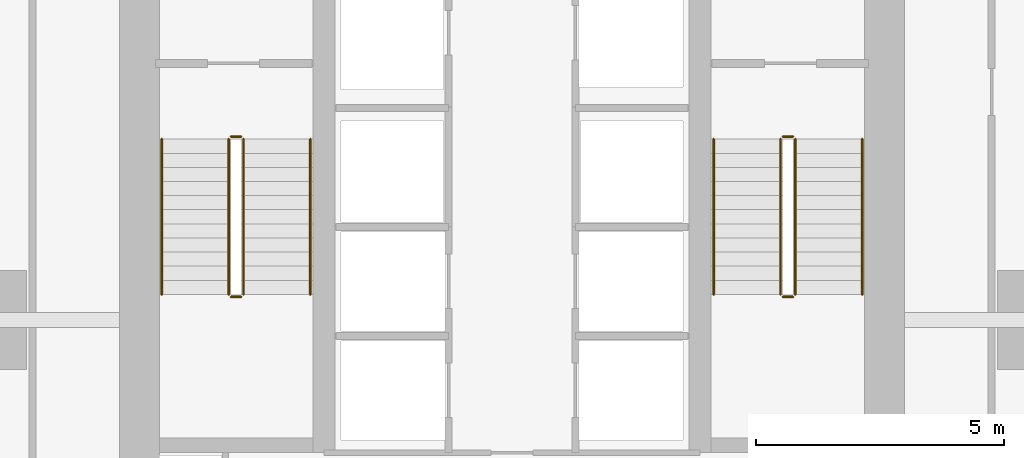
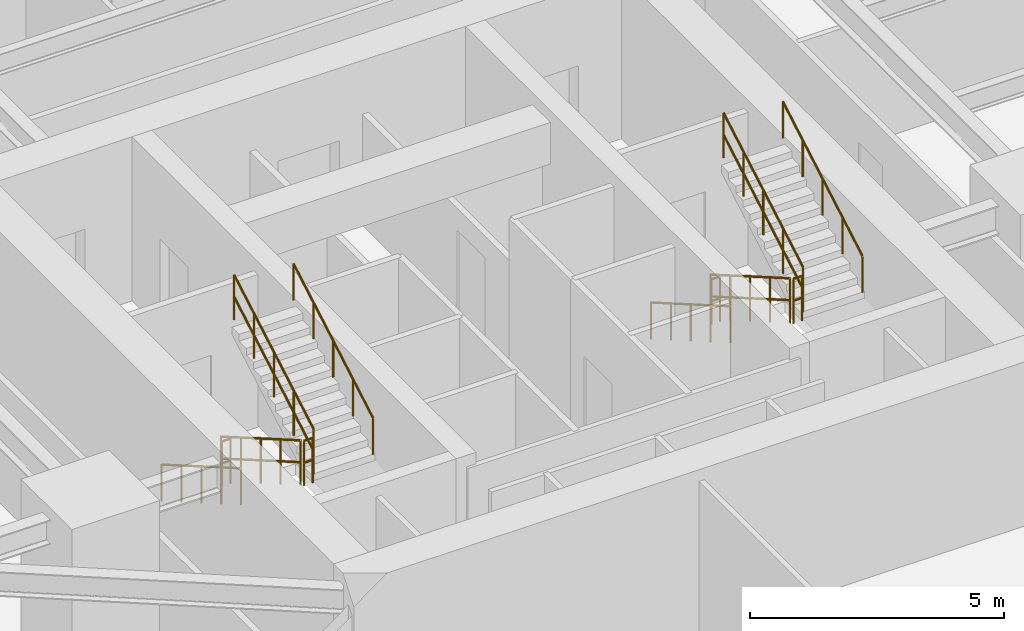
# One storey, part 26 of 27: 12 railings.
"""IFC4 building model written with IfcOpenShell, lengths in metres."""

from ifc_helpers import new_model, si_unit, direction, frame, origin, origin_2d, place, context, subcontext, project, spatial, circle, extrude, material, layer, layer_set, type_object, element, save


model = new_model("IFC4")

# Units and contexts
model_context = context("Model", 3, precision=1e-05, world=origin(), true_north=direction((0.0, 1.0)))
body_context = subcontext(model_context, "Body", "Model", "MODEL_VIEW")
ifc_project = project(units=[si_unit("LENGTHUNIT", "METRE"), si_unit("AREAUNIT", "SQUARE_METRE"), si_unit("VOLUMEUNIT", "CUBIC_METRE"), si_unit("PLANEANGLEUNIT", "RADIAN"), si_unit("MASSUNIT", "GRAM", prefix="KILO")], contexts=[model_context])

# Site, building, storey
site_placement = place(None, origin())
site = spatial("IfcSite", under=ifc_project, at=site_placement, CompositionType="ELEMENT")
building_placement = place(site_placement, origin())
building = spatial("IfcBuilding", under=site, at=building_placement, Name="Krantzveldt Concourse Tower", CompositionType="ELEMENT")
storey_placement = place(building_placement, frame((0.0, 0.0, 125.60009765625)))
storey = spatial("IfcBuildingStorey", under=building, at=storey_placement, Name="L30", CompositionType="ELEMENT", Elevation=125.60009765625)

# Railings
ifc_material = material(Name="Stainless steel 316L", Category="steel")
ifc_layer_1 = layer(ifc_material, 0.06005859375, Name="Stainless steel 316L", Category="steel")
ifc_layer_set_1 = layer_set([ifc_layer_1], Name="Stainless steel 316L (RL-GUARD-1120)")
railing_type_1 = type_object("IfcRailingType", Name="RL-GUARD-1120", PredefinedType="GUARDRAIL", material=ifc_layer_set_1)
railing_1_placement = place(storey_placement, frame((30.280029296875, 19.550048828125, 0.16455078125)))
element("IfcRailing", 1, at=railing_1_placement, inside=storey, type_object=railing_type_1, Name="L30 ST-1 stair guard 1", PredefinedType="GUARDRAIL", context=body_context, shape_type="SweptSolid", body=[
    extrude(circle(Radius=0.02392578125, at=origin_2d()), frame((0.0, 0.0, 1.076171875), z_axis=(0.0, -0.865989039225, 0.500062979975), x_axis=(1.0, 0.0, 0.0)), (0.0, 0.0, 1.0), 3.6201171875),
    extrude(circle(Radius=0.02392578125, at=origin_2d()), frame((0.0, 0.0, 0.550048828125), z_axis=(0.0, -0.865989039225, 0.500062979975), x_axis=(1.0, 0.0, 0.0)), (0.0, 0.0, 1.0), 3.6201171875),
    extrude(circle(Radius=0.02099609375, at=origin_2d()), origin(), (0.0, 0.0, 1.0), 1.052001953125),
    extrude(circle(Radius=0.02099609375, at=origin_2d()), frame((0.0, -0.78369140625, 0.45263671875)), (0.0, 0.0, 1.0), 1.052001953125),
    extrude(circle(Radius=0.02099609375, at=origin_2d()), frame((0.0, -1.5673828125, 0.9052734375)), (0.0, 0.0, 1.0), 1.052001953125),
    extrude(circle(Radius=0.02099609375, at=origin_2d()), frame((0.0, -2.351318359375, 1.357666015625)), (0.0, 0.0, 1.0), 1.052001953125),
    extrude(circle(Radius=0.02099609375, at=origin_2d()), frame((0.0, -3.135009765625, 1.810302734375)), (0.0, 0.0, 1.0), 1.052001953125),
])
railing_2_placement = place(storey_placement, frame((30.330078125, 16.364990234375, 1.974853515625)))
element("IfcRailing", 2, at=railing_2_placement, inside=storey, type_object=railing_type_1, Name="L30 ST-1 stair guard 2", PredefinedType="GUARDRAIL", context=body_context, shape_type="SweptSolid", body=[
    extrude(circle(Radius=0.02392578125, at=origin_2d()), frame((0.0, 0.0, 1.076171875), z_axis=(1.0, 0.0, 0.0), x_axis=(0.0, 1.0, 0.0)), (0.0, 0.0, 1.0), 0.199951171875),
    extrude(circle(Radius=0.02392578125, at=origin_2d()), frame((0.0, 0.0, 0.550048828125), z_axis=(1.0, 0.0, 0.0), x_axis=(0.0, 1.0, 0.0)), (0.0, 0.0, 1.0), 0.199951171875),
    extrude(circle(Radius=0.02099609375, at=origin_2d()), origin(), (0.0, 0.0, 1.0), 1.052001953125),
    extrude(circle(Radius=0.02099609375, at=origin_2d()), frame((0.199951171875, 0.0, 0.0)), (0.0, 0.0, 1.0), 1.052001953125),
])
railing_3_placement = place(storey_placement, frame((30.580078125, 16.4150390625, 2.139404296875)))
element("IfcRailing", 3, at=railing_3_placement, inside=storey, type_object=railing_type_1, Name="L30 ST-1 stair guard 3", PredefinedType="GUARDRAIL", context=body_context, shape_type="SweptSolid", body=[
    extrude(circle(Radius=0.02392578125, at=origin_2d()), frame((0.0, 0.0, 1.076171875), z_axis=(0.0, 0.865959834175, 0.500113552702), x_axis=(-1.0, 0.0, 0.0)), (0.0, 0.0, 1.0), 3.620361328125),
    extrude(circle(Radius=0.02392578125, at=origin_2d()), frame((0.0, 0.0, 0.550048828125), z_axis=(0.0, 0.865959834175, 0.500113552702), x_axis=(-1.0, 0.0, 0.0)), (0.0, 0.0, 1.0), 3.620361328125),
    extrude(circle(Radius=0.02099609375, at=origin_2d()), origin(), (0.0, 0.0, 1.0), 1.052001953125),
    extrude(circle(Radius=0.02099609375, at=origin_2d()), frame((0.0, 0.78369140625, 0.45263671875)), (0.0, 0.0, 1.0), 1.052001953125),
    extrude(circle(Radius=0.02099609375, at=origin_2d()), frame((0.0, 1.5673828125, 0.9052734375)), (0.0, 0.0, 1.0), 1.052001953125),
    extrude(circle(Radius=0.02099609375, at=origin_2d()), frame((0.0, 2.351318359375, 1.35791015625)), (0.0, 0.0, 1.0), 1.052001953125),
    extrude(circle(Radius=0.02099609375, at=origin_2d()), frame((0.0, 3.135009765625, 1.810546875)), (0.0, 0.0, 1.0), 1.052001953125),
])
railing_4_placement = place(storey_placement, frame((30.330078125, 19.60009765625, 0.0)))
element("IfcRailing", 4, at=railing_4_placement, inside=storey, type_object=railing_type_1, Name="L30 ST-1 stair guard 4", PredefinedType="GUARDRAIL", context=body_context, shape_type="SweptSolid", body=[
    extrude(circle(Radius=0.02392578125, at=origin_2d()), frame((0.0, 0.0, 1.076171875), z_axis=(1.0, 0.0, 0.0), x_axis=(0.0, 1.0, 0.0)), (0.0, 0.0, 1.0), 0.199951171875),
    extrude(circle(Radius=0.02392578125, at=origin_2d()), frame((0.0, 0.0, 0.550048828125), z_axis=(1.0, 0.0, 0.0), x_axis=(0.0, 1.0, 0.0)), (0.0, 0.0, 1.0), 0.199951171875),
    extrude(circle(Radius=0.02099609375, at=origin_2d()), origin(), (0.0, 0.0, 1.0), 1.052001953125),
    extrude(circle(Radius=0.02099609375, at=origin_2d()), frame((0.199951171875, 0.0, 0.0)), (0.0, 0.0, 1.0), 1.052001953125),
])
railing_5_placement = place(storey_placement, frame((41.419921875, 19.550048828125, 0.16455078125)))
element("IfcRailing", 5, at=railing_5_placement, inside=storey, type_object=railing_type_1, Name="L30 ST-2 stair guard 1", PredefinedType="GUARDRAIL", context=body_context, shape_type="SweptSolid", body=[
    extrude(circle(Radius=0.02392578125, at=origin_2d()), frame((0.0, 0.0, 1.076171875), z_axis=(0.0, -0.865989039225, 0.500062979975), x_axis=(1.0, 0.0, 0.0)), (0.0, 0.0, 1.0), 3.6201171875),
    extrude(circle(Radius=0.02392578125, at=origin_2d()), frame((0.0, 0.0, 0.550048828125), z_axis=(0.0, -0.865989039225, 0.500062979975), x_axis=(1.0, 0.0, 0.0)), (0.0, 0.0, 1.0), 3.6201171875),
    extrude(circle(Radius=0.02099609375, at=origin_2d()), origin(), (0.0, 0.0, 1.0), 1.052001953125),
    extrude(circle(Radius=0.02099609375, at=origin_2d()), frame((0.0, -0.78369140625, 0.45263671875)), (0.0, 0.0, 1.0), 1.052001953125),
    extrude(circle(Radius=0.02099609375, at=origin_2d()), frame((0.0, -1.5673828125, 0.9052734375)), (0.0, 0.0, 1.0), 1.052001953125),
    extrude(circle(Radius=0.02099609375, at=origin_2d()), frame((0.0, -2.351318359375, 1.357666015625)), (0.0, 0.0, 1.0), 1.052001953125),
    extrude(circle(Radius=0.02099609375, at=origin_2d()), frame((0.0, -3.135009765625, 1.810302734375)), (0.0, 0.0, 1.0), 1.052001953125),
])
railing_6_placement = place(storey_placement, frame((41.469970703125, 16.364990234375, 1.974853515625)))
element("IfcRailing", 6, at=railing_6_placement, inside=storey, type_object=railing_type_1, Name="L30 ST-2 stair guard 2", PredefinedType="GUARDRAIL", context=body_context, shape_type="SweptSolid", body=[
    extrude(circle(Radius=0.02392578125, at=origin_2d()), frame((0.0, 0.0, 1.076171875), z_axis=(1.0, 0.0, 0.0), x_axis=(0.0, 1.0, 0.0)), (0.0, 0.0, 1.0), 0.199951171875),
    extrude(circle(Radius=0.02392578125, at=origin_2d()), frame((0.0, 0.0, 0.550048828125), z_axis=(1.0, 0.0, 0.0), x_axis=(0.0, 1.0, 0.0)), (0.0, 0.0, 1.0), 0.199951171875),
    extrude(circle(Radius=0.02099609375, at=origin_2d()), origin(), (0.0, 0.0, 1.0), 1.052001953125),
    extrude(circle(Radius=0.02099609375, at=origin_2d()), frame((0.199951171875, 0.0, 0.0)), (0.0, 0.0, 1.0), 1.052001953125),
])
railing_7_placement = place(storey_placement, frame((41.719970703125, 16.4150390625, 2.139404296875)))
element("IfcRailing", 7, at=railing_7_placement, inside=storey, type_object=railing_type_1, Name="L30 ST-2 stair guard 3", PredefinedType="GUARDRAIL", context=body_context, shape_type="SweptSolid", body=[
    extrude(circle(Radius=0.02392578125, at=origin_2d()), frame((0.0, 0.0, 1.076171875), z_axis=(0.0, 0.865959834175, 0.500113552702), x_axis=(-1.0, 0.0, 0.0)), (0.0, 0.0, 1.0), 3.620361328125),
    extrude(circle(Radius=0.02392578125, at=origin_2d()), frame((0.0, 0.0, 0.550048828125), z_axis=(0.0, 0.865959834175, 0.500113552702), x_axis=(-1.0, 0.0, 0.0)), (0.0, 0.0, 1.0), 3.620361328125),
    extrude(circle(Radius=0.02099609375, at=origin_2d()), origin(), (0.0, 0.0, 1.0), 1.052001953125),
    extrude(circle(Radius=0.02099609375, at=origin_2d()), frame((0.0, 0.78369140625, 0.45263671875)), (0.0, 0.0, 1.0), 1.052001953125),
    extrude(circle(Radius=0.02099609375, at=origin_2d()), frame((0.0, 1.5673828125, 0.9052734375)), (0.0, 0.0, 1.0), 1.052001953125),
    extrude(circle(Radius=0.02099609375, at=origin_2d()), frame((0.0, 2.351318359375, 1.35791015625)), (0.0, 0.0, 1.0), 1.052001953125),
    extrude(circle(Radius=0.02099609375, at=origin_2d()), frame((0.0, 3.135009765625, 1.810546875)), (0.0, 0.0, 1.0), 1.052001953125),
])
railing_8_placement = place(storey_placement, frame((41.469970703125, 19.60009765625, 0.0)))
element("IfcRailing", 8, at=railing_8_placement, inside=storey, type_object=railing_type_1, Name="L30 ST-2 stair guard 4", PredefinedType="GUARDRAIL", context=body_context, shape_type="SweptSolid", body=[
    extrude(circle(Radius=0.02392578125, at=origin_2d()), frame((0.0, 0.0, 1.076171875), z_axis=(1.0, 0.0, 0.0), x_axis=(0.0, 1.0, 0.0)), (0.0, 0.0, 1.0), 0.199951171875),
    extrude(circle(Radius=0.02392578125, at=origin_2d()), frame((0.0, 0.0, 0.550048828125), z_axis=(1.0, 0.0, 0.0), x_axis=(0.0, 1.0, 0.0)), (0.0, 0.0, 1.0), 0.199951171875),
    extrude(circle(Radius=0.02099609375, at=origin_2d()), origin(), (0.0, 0.0, 1.0), 1.052001953125),
    extrude(circle(Radius=0.02099609375, at=origin_2d()), frame((0.199951171875, 0.0, 0.0)), (0.0, 0.0, 1.0), 1.052001953125),
])
ifc_layer_2 = layer(ifc_material, 0.050048828125, Name="Stainless steel 316L", Category="steel")
ifc_layer_set_2 = layer_set([ifc_layer_2], Name="Stainless steel 316L (RL-HANDRAIL-920)")
railing_type_2 = type_object("IfcRailingType", Name="RL-HANDRAIL-920", PredefinedType="HANDRAIL", material=ifc_layer_set_2)
railing_9_placement = place(storey_placement, frame((28.929931640625, 19.550048828125, 0.16455078125)))
element("IfcRailing", 9, at=railing_9_placement, inside=storey, type_object=railing_type_2, Name="L30 ST-1 stair handrail 1", PredefinedType="HANDRAIL", context=body_context, shape_type="SweptSolid", body=[
    extrude(circle(Radius=0.02392578125, at=origin_2d()), frame((0.0, 0.0, 0.8759765625), z_axis=(0.0, -0.865989039225, 0.500062979975), x_axis=(1.0, 0.0, 0.0)), (0.0, 0.0, 1.0), 3.6201171875),
    extrude(circle(Radius=0.02099609375, at=origin_2d()), origin(), (0.0, 0.0, 1.0), 0.851806640625),
    extrude(circle(Radius=0.02099609375, at=origin_2d()), frame((0.0, -0.78369140625, 0.45263671875)), (0.0, 0.0, 1.0), 0.851806640625),
    extrude(circle(Radius=0.02099609375, at=origin_2d()), frame((0.0, -1.5673828125, 0.9052734375)), (0.0, 0.0, 1.0), 0.851806640625),
    extrude(circle(Radius=0.02099609375, at=origin_2d()), frame((0.0, -2.351318359375, 1.357666015625)), (0.0, 0.0, 1.0), 0.851806640625),
    extrude(circle(Radius=0.02099609375, at=origin_2d()), frame((0.0, -3.135009765625, 1.810302734375)), (0.0, 0.0, 1.0), 0.851806640625),
])
railing_10_placement = place(storey_placement, frame((31.929931640625, 16.4150390625, 2.139404296875)))
element("IfcRailing", 10, at=railing_10_placement, inside=storey, type_object=railing_type_2, Name="L30 ST-1 stair handrail 2", PredefinedType="HANDRAIL", context=body_context, shape_type="SweptSolid", body=[
    extrude(circle(Radius=0.02392578125, at=origin_2d()), frame((0.0, 0.0, 0.8759765625), z_axis=(0.0, 0.865959834175, 0.500113552702), x_axis=(-1.0, 0.0, 0.0)), (0.0, 0.0, 1.0), 3.620361328125),
    extrude(circle(Radius=0.02099609375, at=origin_2d()), origin(), (0.0, 0.0, 1.0), 0.851806640625),
    extrude(circle(Radius=0.02099609375, at=origin_2d()), frame((0.0, 0.78369140625, 0.45263671875)), (0.0, 0.0, 1.0), 0.851806640625),
    extrude(circle(Radius=0.02099609375, at=origin_2d()), frame((0.0, 1.5673828125, 0.9052734375)), (0.0, 0.0, 1.0), 0.851806640625),
    extrude(circle(Radius=0.02099609375, at=origin_2d()), frame((0.0, 2.351318359375, 1.35791015625)), (0.0, 0.0, 1.0), 0.851806640625),
    extrude(circle(Radius=0.02099609375, at=origin_2d()), frame((0.0, 3.135009765625, 1.810546875)), (0.0, 0.0, 1.0), 0.851806640625),
])
railing_11_placement = place(storey_placement, frame((40.070068359375, 19.550048828125, 0.16455078125)))
element("IfcRailing", 11, at=railing_11_placement, inside=storey, type_object=railing_type_2, Name="L30 ST-2 stair handrail 1", PredefinedType="HANDRAIL", context=body_context, shape_type="SweptSolid", body=[
    extrude(circle(Radius=0.02392578125, at=origin_2d()), frame((0.0, 0.0, 0.8759765625), z_axis=(0.0, -0.865989039225, 0.500062979975), x_axis=(1.0, 0.0, 0.0)), (0.0, 0.0, 1.0), 3.6201171875),
    extrude(circle(Radius=0.02099609375, at=origin_2d()), origin(), (0.0, 0.0, 1.0), 0.851806640625),
    extrude(circle(Radius=0.02099609375, at=origin_2d()), frame((0.0, -0.78369140625, 0.45263671875)), (0.0, 0.0, 1.0), 0.851806640625),
    extrude(circle(Radius=0.02099609375, at=origin_2d()), frame((0.0, -1.5673828125, 0.9052734375)), (0.0, 0.0, 1.0), 0.851806640625),
    extrude(circle(Radius=0.02099609375, at=origin_2d()), frame((0.0, -2.351318359375, 1.357666015625)), (0.0, 0.0, 1.0), 0.851806640625),
    extrude(circle(Radius=0.02099609375, at=origin_2d()), frame((0.0, -3.135009765625, 1.810302734375)), (0.0, 0.0, 1.0), 0.851806640625),
])
railing_12_placement = place(storey_placement, frame((43.070068359375, 16.4150390625, 2.139404296875)))
element("IfcRailing", 12, at=railing_12_placement, inside=storey, type_object=railing_type_2, Name="L30 ST-2 stair handrail 2", PredefinedType="HANDRAIL", context=body_context, shape_type="SweptSolid", body=[
    extrude(circle(Radius=0.02392578125, at=origin_2d()), frame((0.0, 0.0, 0.8759765625), z_axis=(0.0, 0.865959834175, 0.500113552702), x_axis=(-1.0, 0.0, 0.0)), (0.0, 0.0, 1.0), 3.620361328125),
    extrude(circle(Radius=0.02099609375, at=origin_2d()), origin(), (0.0, 0.0, 1.0), 0.851806640625),
    extrude(circle(Radius=0.02099609375, at=origin_2d()), frame((0.0, 0.78369140625, 0.45263671875)), (0.0, 0.0, 1.0), 0.851806640625),
    extrude(circle(Radius=0.02099609375, at=origin_2d()), frame((0.0, 1.5673828125, 0.9052734375)), (0.0, 0.0, 1.0), 0.851806640625),
    extrude(circle(Radius=0.02099609375, at=origin_2d()), frame((0.0, 2.351318359375, 1.35791015625)), (0.0, 0.0, 1.0), 0.851806640625),
    extrude(circle(Radius=0.02099609375, at=origin_2d()), frame((0.0, 3.135009765625, 1.810546875)), (0.0, 0.0, 1.0), 0.851806640625),
])

save(model, "model.ifc")
